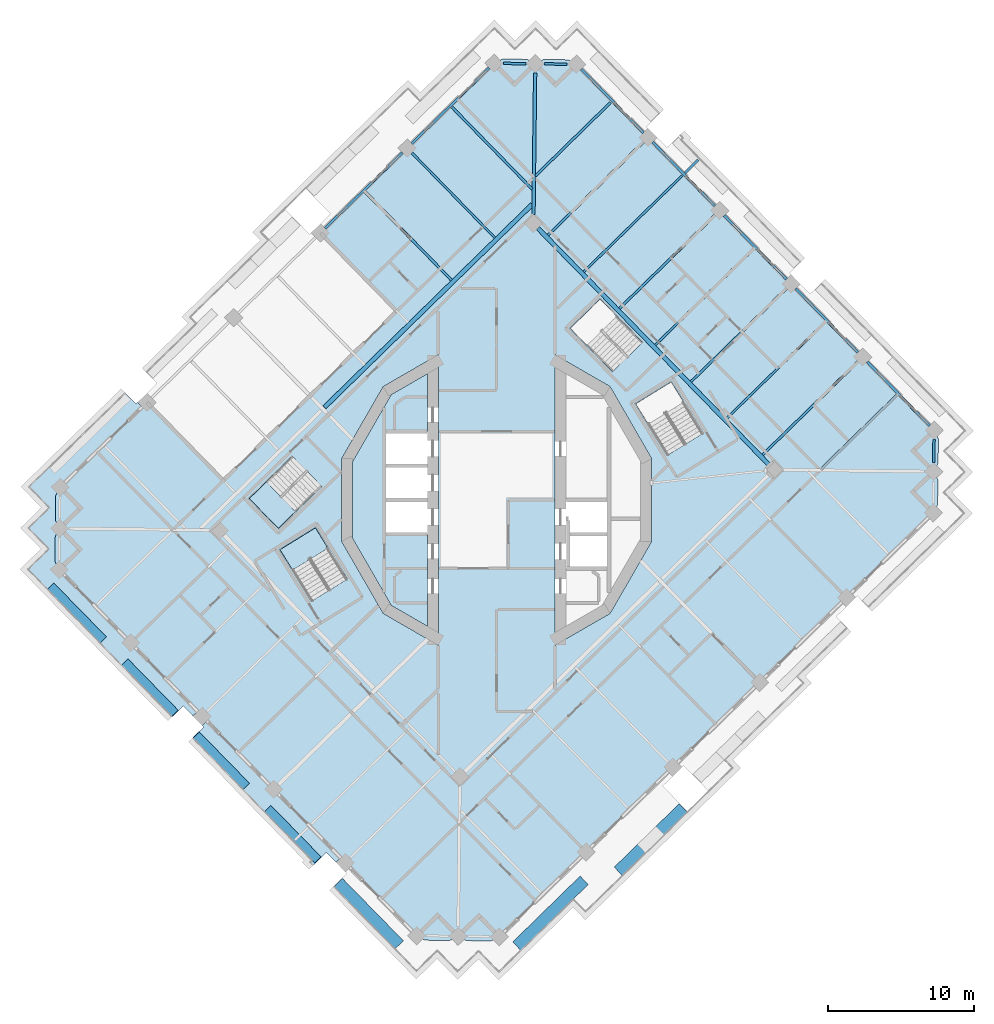
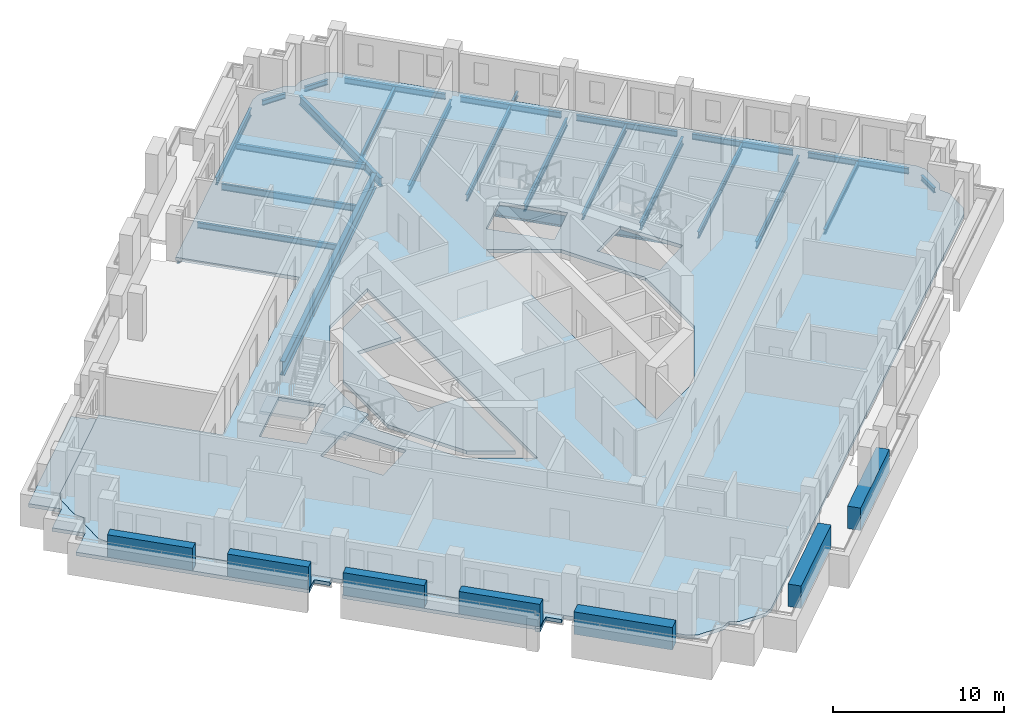
# One storey, part 2 of 17: 26 beams, 7 plates, 6 slabs, 2 elements without a shape of their own.
"""IFC4 building model written with IfcOpenShell, lengths in metres."""

from ifc_helpers import new_model, si_unit, direction, frame, origin, origin_2d, place, context, subcontext, project, spatial, polyline, rectangle, i_section, outline, extrude, material, layer, layer_set, material_profile, profile_set, type_object, element, aggregate, save


model = new_model("IFC4")

# Units and contexts
model_context = context("Model", 3, precision=1e-05, world=origin(), true_north=direction((0.0, 1.0)))
body_context = subcontext(model_context, "Body", "Model", "MODEL_VIEW")
ifc_project = project(units=[si_unit("LENGTHUNIT", "METRE"), si_unit("AREAUNIT", "SQUARE_METRE"), si_unit("VOLUMEUNIT", "CUBIC_METRE"), si_unit("PLANEANGLEUNIT", "RADIAN"), si_unit("MASSUNIT", "GRAM", prefix="KILO")], contexts=[model_context])

# Site, building, storey
site_placement = place(None, origin())
site = spatial("IfcSite", under=ifc_project, at=site_placement, CompositionType="ELEMENT")
building_placement = place(site_placement, origin())
building = spatial("IfcBuilding", under=site, at=building_placement, Name="Cantera Rosa Tower", CompositionType="ELEMENT")
storey_placement = place(building_placement, frame((0.0, 0.0, 227.0)))
storey = spatial("IfcBuildingStorey", under=building, at=storey_placement, Name="L49", CompositionType="ELEMENT", Elevation=227.0)

# Beams
ifc_material_1 = material(Name="Steel ASTM A992 (Fy 345 MPa)", Category="steel")
ifc_material_profile_1 = material_profile(ifc_material_1, i_section(OverallWidth=0.302001953125, OverallDepth=1.010009765625, WebThickness=0.02099609375, FlangeThickness=0.0400390625, FilletRadius=0.030029296875, at=origin_2d()), Name="W1000X350")
ifc_profile_set_1 = profile_set([ifc_material_profile_1], Name="Steel ASTM A992 (Fy 345 MPa)")
beam_type_1 = type_object("IfcBeamType", Name="STEEL BEAM W1000X350", PredefinedType="BEAM", material=ifc_profile_set_1)
beam_1_placement = place(storey_placement, frame((-11.813232421875, 6.353271484375, -0.7548828125), z_axis=(0.715280810147, 0.698837150297, 0.0), x_axis=(-0.698837150297, 0.715280810147, 0.0)))
element("IfcBeam", 1, at=beam_1_placement, inside=storey, type_object=beam_type_1, Name="RB-Z4-02 L49", PredefinedType="BEAM", context=body_context, shape_type="SweptSolid", body=[
    extrude(i_section(OverallWidth=0.302001953125, OverallDepth=1.010009765625, WebThickness=0.02099609375, FlangeThickness=0.0400390625, FilletRadius=0.030029296875, at=origin_2d()), origin(), (0.0, 0.0, 1.0), 19.909912109375),
])
beam_2_placement = place(storey_placement, frame((18.69677734375, 2.39892578125, -0.7548828125), z_axis=(-0.698831294804, 0.715286530981, 0.0), x_axis=(-0.715286530981, -0.698831294804, 0.0)))
element("IfcBeam", 2, at=beam_2_placement, inside=storey, type_object=beam_type_1, Name="RB-Z4-05 L49", PredefinedType="BEAM", context=body_context, shape_type="SweptSolid", body=[
    extrude(i_section(OverallWidth=0.302001953125, OverallDepth=1.010009765625, WebThickness=0.02099609375, FlangeThickness=0.0400390625, FilletRadius=0.030029296875, at=origin_2d()), origin(), (0.0, 0.0, 1.0), 22.7001953125),
])
ifc_material_2 = material(Name="Steel ASTM A992 (Fy 345 MPa)", Category="steel")
ifc_material_profile_2 = material_profile(ifc_material_2, i_section(OverallWidth=0.154052734375, OverallDepth=0.4599609375, WebThickness=0.009033203125, FlangeThickness=0.015380859375, FilletRadius=0.01025390625, at=origin_2d()), Name="W460X68")
ifc_profile_set_2 = profile_set([ifc_material_profile_2], Name="Steel ASTM A992 (Fy 345 MPa)")
beam_type_2 = type_object("IfcBeamType", Name="STEEL BEAM W460X68", PredefinedType="BEAM", material=ifc_profile_set_2)
beam_3_placement = place(storey_placement, frame((-5.818603515625, 23.81396484375, -0.47998046875), z_axis=(0.698836133494, -0.715281803574, 0.0), x_axis=(0.715281803574, 0.698836133494, 0.0)))
element("IfcBeam", 3, at=beam_3_placement, inside=storey, type_object=beam_type_2, Name="G-Z4-05 L49", PredefinedType="BEAM", context=body_context, shape_type="SweptSolid", body=[
    extrude(i_section(OverallWidth=0.154052734375, OverallDepth=0.4599609375, WebThickness=0.009033203125, FlangeThickness=0.015380859375, FilletRadius=0.01025390625, at=origin_2d()), origin(), (0.0, 0.0, 1.0), 8.150146484375),
])
ifc_material_3 = material(Name="Steel ASTM A992 (Fy 345 MPa)", Category="steel")
ifc_material_profile_3 = material_profile(ifc_material_3, i_section(OverallWidth=0.166015625, OverallDepth=0.528076171875, WebThickness=0.009765625, FlangeThickness=0.013671875, FilletRadius=0.0126953125, at=origin_2d()), Name="W530X74")
ifc_profile_set_3 = profile_set([ifc_material_profile_3], Name="Steel ASTM A992 (Fy 345 MPa)")
beam_type_3 = type_object("IfcBeamType", Name="STEEL BEAM W530X74", PredefinedType="BEAM", material=ifc_profile_set_3)
for number, where, z_axis, x_axis, name in (
    (4, (24.77587890625, 9.484619140625, -0.513916015625), (-0.71529025682, -0.698827481213, 0.0), (0.698827481213, -0.71529025682, 0.0), "G-Z4-01 L49"),
    (5, (19.8701171875, 14.505859375, -0.513916015625), (-0.71529025682, -0.698827481213, 0.0), (0.698827481213, -0.71529025682, 0.0), "G-Z4-02 L49"),
    (6, (14.96435546875, 19.527099609375, -0.513916015625), (-0.71529025682, -0.698827481213, 0.0), (0.698827481213, -0.71529025682, 0.0), "G-Z4-03 L49"),
    (7, (10.05859375, 24.548583984375, -0.513916015625), (-0.71529025682, -0.698827481213, 0.0), (0.698827481213, -0.71529025682, 0.0), "G-Z4-04 L49"),
):
    element("IfcBeam", number, at=place(storey_placement, frame(where, z_axis=z_axis, x_axis=x_axis)), inside=storey, type_object=beam_type_3, Name=name, PredefinedType="BEAM", context=body_context, shape_type="SweptSolid", body=[
        extrude(i_section(OverallWidth=0.166015625, OverallDepth=0.528076171875, WebThickness=0.009765625, FlangeThickness=0.013671875, FilletRadius=0.0126953125, at=origin_2d()), origin(), (0.0, 0.0, 1.0), 9.14990234375),
    ])
ifc_material_4 = material(Name="Steel ASTM A992 (Fy 345 MPa)", Category="steel")
ifc_material_profile_4 = material_profile(ifc_material_4, i_section(OverallWidth=0.22802734375, OverallDepth=0.60205078125, WebThickness=0.010498046875, FlangeThickness=0.014892578125, FilletRadius=0.0126953125, at=origin_2d()), Name="W610X101")
ifc_profile_set_4 = profile_set([ifc_material_profile_4], Name="Steel ASTM A992 (Fy 345 MPa)")
beam_type_4 = type_object("IfcBeamType", Name="STEEL BEAM W610X101", PredefinedType="BEAM", material=ifc_profile_set_4)
beam_4_placement = place(storey_placement, frame((2.638916015625, 29.28076171875, -0.551025390625), z_axis=(-0.011618330597, -0.999932504919, 0.0), x_axis=(0.999932504919, -0.011618330597, 0.0)))
element("IfcBeam", 8, at=beam_4_placement, inside=storey, type_object=beam_type_4, Name="CB-Z4-01 L49", PredefinedType="BEAM", context=body_context, shape_type="SweptSolid", body=[
    extrude(i_section(OverallWidth=0.22802734375, OverallDepth=0.60205078125, WebThickness=0.010498046875, FlangeThickness=0.014892578125, FilletRadius=0.0126953125, at=origin_2d()), origin(), (0.0, 0.0, 1.0), 9.687255859375),
])
ifc_material_5 = material(Name="Steel ASTM A992 (Fy 345 MPa)", Category="steel")
ifc_material_profile_5 = material_profile(ifc_material_5, i_section(OverallWidth=0.1708984375, OverallDepth=0.35595703125, WebThickness=0.00732421875, FlangeThickness=0.01171875, FilletRadius=0.010009765625, at=origin_2d()), Name="W360X51")
ifc_profile_set_5 = profile_set([ifc_material_profile_5], Name="Steel ASTM A992 (Fy 345 MPa)")
beam_type_5 = type_object("IfcBeamType", Name="STEEL JOIST W360X51", PredefinedType="JOIST", material=ifc_profile_set_5)
for number, where, z_axis, x_axis, name in (
    (9, (27.443359375, 7.18359375, -0.427978515625), (-0.715287213552, -0.69883059616, 0.0), (0.69883059616, -0.715287213552, 0.0), "B-Z4-01 L49"),
    (10, (7.8203125, 27.268798828125, -0.427978515625), (-0.715287213552, -0.69883059616, 0.0), (0.69883059616, -0.715287213552, 0.0), "B-Z4-05 L49"),
):
    element("IfcBeam", number, at=place(storey_placement, frame(where, z_axis=z_axis, x_axis=x_axis)), inside=storey, type_object=beam_type_5, Name=name, PredefinedType="JOIST", context=body_context, shape_type="SweptSolid", body=[
        extrude(i_section(OverallWidth=0.1708984375, OverallDepth=0.35595703125, WebThickness=0.00732421875, FlangeThickness=0.01171875, FilletRadius=0.010009765625, at=origin_2d()), origin(), (0.0, 0.0, 1.0), 7.2099609375),
    ])
beam_5_placement = place(storey_placement, frame((12.92626953125, 22.443115234375, -0.427978515625), z_axis=(0.715266175044, 0.698852129451, 0.0), x_axis=(-0.698852129451, 0.715266175044, 0.0)))
element("IfcBeam", 11, at=beam_5_placement, inside=storey, type_object=beam_type_5, Name="BS-Z4-13 L49", PredefinedType="JOIST", context=body_context, shape_type="SweptSolid", body=[
    extrude(i_section(OverallWidth=0.1708984375, OverallDepth=0.35595703125, WebThickness=0.00732421875, FlangeThickness=0.01171875, FilletRadius=0.010009765625, at=origin_2d()), origin(), (0.0, 0.0, 1.0), 1.26416015625),
])
ifc_material_6 = material(Name="Steel ASTM A992 (Fy 345 MPa)", Category="steel")
ifc_material_profile_6 = material_profile(ifc_material_6, i_section(OverallWidth=0.177978515625, OverallDepth=0.406005859375, WebThickness=0.0078125, FlangeThickness=0.0126953125, FilletRadius=0.01025390625, at=origin_2d()), Name="W410X60")
ifc_profile_set_6 = profile_set([ifc_material_profile_6], Name="Steel ASTM A992 (Fy 345 MPa)")
beam_type_6 = type_object("IfcBeamType", Name="STEEL JOIST W410X60", PredefinedType="JOIST", material=ifc_profile_set_6)
beam_6_placement = place(storey_placement, frame((-3.052734375, 26.935791015625, -0.452880859375), z_axis=(0.698827868311, -0.715289878631, 0.0), x_axis=(0.715289878631, 0.698827868311, 0.0)))
element("IfcBeam", 12, at=beam_6_placement, inside=storey, type_object=beam_type_6, Name="B-Z4-06 L49", PredefinedType="JOIST", context=body_context, shape_type="SweptSolid", body=[
    extrude(i_section(OverallWidth=0.177978515625, OverallDepth=0.406005859375, WebThickness=0.0078125, FlangeThickness=0.0126953125, FilletRadius=0.01025390625, at=origin_2d()), origin(), (0.0, 0.0, 1.0), 7.860107421875),
])
beam_7_placement = place(storey_placement, frame((-9.00390625, 21.121337890625, -0.452880859375), z_axis=(0.698839235604, -0.715278772774, 0.0), x_axis=(0.715278772774, 0.698839235604, 0.0)))
element("IfcBeam", 13, at=beam_7_placement, inside=storey, type_object=beam_type_6, Name="B-Z4-07 L49", PredefinedType="JOIST", context=body_context, shape_type="SweptSolid", body=[
    extrude(i_section(OverallWidth=0.177978515625, OverallDepth=0.406005859375, WebThickness=0.0078125, FlangeThickness=0.0126953125, FilletRadius=0.01025390625, at=origin_2d()), origin(), (0.0, 0.0, 1.0), 8.4501953125),
])
ifc_material_7 = material(Name="Steel ASTM A992 (Fy 345 MPa)", Category="steel")
ifc_material_profile_7 = material_profile(ifc_material_7, i_section(OverallWidth=0.154052734375, OverallDepth=0.4599609375, WebThickness=0.009033203125, FlangeThickness=0.015380859375, FilletRadius=0.01025390625, at=origin_2d()), Name="W460X68")
ifc_profile_set_7 = profile_set([ifc_material_profile_7], Name="Steel ASTM A992 (Fy 345 MPa)")
beam_type_7 = type_object("IfcBeamType", Name="STEEL JOIST W460X68", PredefinedType="JOIST", material=ifc_profile_set_7)
for number, where, z_axis, x_axis, name in (
    (14, (22.53759765625, 12.204833984375, -0.47998046875), (-0.715287278354, -0.698830529832, 0.0), (0.698830529832, -0.715287278354, 0.0), "B-Z4-02 L49"),
    (15, (17.6318359375, 17.226318359375, -0.47998046875), (-0.715287278354, -0.698830529832, 0.0), (0.698830529832, -0.715287278354, 0.0), "B-Z4-03 L49"),
    (16, (12.72607421875, 22.24755859375, -0.47998046875), (-0.715287278354, -0.698830529832, 0.0), (0.698830529832, -0.715287278354, 0.0), "B-Z4-04 L49"),
):
    element("IfcBeam", number, at=place(storey_placement, frame(where, z_axis=z_axis, x_axis=x_axis)), inside=storey, type_object=beam_type_7, Name=name, PredefinedType="JOIST", context=body_context, shape_type="SweptSolid", body=[
        extrude(i_section(OverallWidth=0.154052734375, OverallDepth=0.4599609375, WebThickness=0.009033203125, FlangeThickness=0.015380859375, FilletRadius=0.01025390625, at=origin_2d()), origin(), (0.0, 0.0, 1.0), 9.4501953125),
    ])
ifc_material_8 = material(Name="Steel ASTM A992 (Fy 345 MPa)", Category="steel")
ifc_material_profile_8 = material_profile(ifc_material_8, i_section(OverallWidth=0.1708984375, OverallDepth=0.35595703125, WebThickness=0.00732421875, FlangeThickness=0.01171875, FilletRadius=0.010009765625, at=origin_2d()), Name="W360X51")
ifc_profile_set_8 = profile_set([ifc_material_profile_8], Name="Steel ASTM A992 (Fy 345 MPa)")
beam_type_8 = type_object("IfcBeamType", Name="STEEL SPANDREL BEAM W360X51", PredefinedType="SPANDREL", material=ifc_profile_set_8)
for number, where, z_axis, x_axis, name in (
    (17, (4.838134765625, 29.8916015625, -0.427978515625), (-0.999930716123, 0.011771276677, 0.0), (-0.011771276677, -0.999930716123, 0.0), "EB-Z4-06 L49"),
    (18, (2.010009765625, 29.924560546875, -0.427978515625), (-0.99993255119, 0.011614347636, 0.0), (-0.011614347636, -0.99993255119, 0.0), "EB-Z4-07 L49"),
    (19, (29.97802734375, 2.5859375, -0.427978515625), (0.011614347636, 0.99993255119, 0.0), (-0.99993255119, 0.011614347636, 0.0), "EB-Z4-28 L49"),
):
    element("IfcBeam", number, at=place(storey_placement, frame(where, z_axis=z_axis, x_axis=x_axis)), inside=storey, type_object=beam_type_8, Name=name, PredefinedType="SPANDREL", context=body_context, shape_type="SweptSolid", body=[
        extrude(i_section(OverallWidth=0.1708984375, OverallDepth=0.35595703125, WebThickness=0.00732421875, FlangeThickness=0.01171875, FilletRadius=0.010009765625, at=origin_2d()), origin(), (0.0, 0.0, 1.0), 1.555419921875),
    ])
ifc_material_9 = material(Name="Steel ASTM A992 (Fy 345 MPa)", Category="steel")
ifc_material_profile_9 = material_profile(ifc_material_9, i_section(OverallWidth=0.177978515625, OverallDepth=0.406005859375, WebThickness=0.0078125, FlangeThickness=0.0126953125, FilletRadius=0.01025390625, at=origin_2d()), Name="W410X60")
ifc_profile_set_9 = profile_set([ifc_material_profile_9], Name="Steel ASTM A992 (Fy 345 MPa)")
beam_type_9 = type_object("IfcBeamType", Name="STEEL SPANDREL BEAM W410X60", PredefinedType="SPANDREL", material=ifc_profile_set_9)
beam_8_placement = place(storey_placement, frame((29.689208984375, 5.099609375, -0.452880859375), z_axis=(-0.69882117953, 0.715296413412, 0.0), x_axis=(-0.715296413412, -0.69882117953, 0.0)))
element("IfcBeam", 20, at=beam_8_placement, inside=storey, type_object=beam_type_9, Name="EB-Z4-01 L49", PredefinedType="SPANDREL", context=body_context, shape_type="SweptSolid", body=[
    extrude(i_section(OverallWidth=0.177978515625, OverallDepth=0.406005859375, WebThickness=0.0078125, FlangeThickness=0.0126953125, FilletRadius=0.01025390625, at=origin_2d()), origin(), (0.0, 0.0, 1.0), 6.1201171875),
])
for number, where, z_axis, x_axis, name in (
    (21, (24.783203125, 10.120849609375, -0.452880859375), (-0.698800768177, 0.715316354067, 0.0), (-0.715316354067, -0.698800768177, 0.0), "EB-Z4-02 L49"),
    (22, (19.87744140625, 15.142333984375, -0.452880859375), (-0.698841120217, 0.71527693147, 0.0), (-0.71527693147, -0.698841120217, 0.0), "EB-Z4-03 L49"),
    (23, (14.9716796875, 20.16357421875, -0.452880859375), (-0.698841120217, 0.71527693147, 0.0), (-0.71527693147, -0.698841120217, 0.0), "EB-Z4-04 L49"),
):
    element("IfcBeam", number, at=place(storey_placement, frame(where, z_axis=z_axis, x_axis=x_axis)), inside=storey, type_object=beam_type_9, Name=name, PredefinedType="SPANDREL", context=body_context, shape_type="SweptSolid", body=[
        extrude(i_section(OverallWidth=0.177978515625, OverallDepth=0.406005859375, WebThickness=0.0078125, FlangeThickness=0.0126953125, FilletRadius=0.01025390625, at=origin_2d()), origin(), (0.0, 0.0, 1.0), 6.119873046875),
    ])
beam_9_placement = place(storey_placement, frame((10.06591796875, 25.184814453125, -0.452880859375), z_axis=(-0.69882117953, 0.715296413412, 0.0), x_axis=(-0.715296413412, -0.69882117953, 0.0)))
element("IfcBeam", 24, at=beam_9_placement, inside=storey, type_object=beam_type_9, Name="EB-Z4-05 L49", PredefinedType="SPANDREL", context=body_context, shape_type="SweptSolid", body=[
    extrude(i_section(OverallWidth=0.177978515625, OverallDepth=0.406005859375, WebThickness=0.0078125, FlangeThickness=0.0126953125, FilletRadius=0.01025390625, at=origin_2d()), origin(), (0.0, 0.0, 1.0), 6.1201171875),
])
ifc_material_10 = material(Name="Steel ASTM A992 (Fy 345 MPa)", Category="steel")
ifc_material_profile_10 = material_profile(ifc_material_10, i_section(OverallWidth=0.166015625, OverallDepth=0.528076171875, WebThickness=0.009765625, FlangeThickness=0.013671875, FilletRadius=0.0126953125, at=origin_2d()), Name="W530X74")
ifc_profile_set_10 = profile_set([ifc_material_profile_10], Name="Steel ASTM A992 (Fy 345 MPa)")
beam_type_10 = type_object("IfcBeamType", Name="STEEL SPANDREL BEAM W530X74", PredefinedType="SPANDREL", material=ifc_profile_set_10)
beam_10_placement = place(storey_placement, frame((-0.503662109375, 29.6357421875, -0.513916015625), z_axis=(-0.715284379566, -0.698833496871, 0.0), x_axis=(0.698833496871, -0.715284379566, 0.0)))
element("IfcBeam", 25, at=beam_10_placement, inside=storey, type_object=beam_type_10, Name="EB-Z4-08 L49", PredefinedType="SPANDREL", context=body_context, shape_type="SweptSolid", body=[
    extrude(i_section(OverallWidth=0.166015625, OverallDepth=0.528076171875, WebThickness=0.009765625, FlangeThickness=0.013671875, FilletRadius=0.0126953125, at=origin_2d()), origin(), (0.0, 0.0, 1.0), 7.42041015625),
])
beam_11_placement = place(storey_placement, frame((-6.454833984375, 23.8212890625, -0.513916015625), z_axis=(-0.715300826176, -0.698816662703, 0.0), x_axis=(0.698816662703, -0.715300826176, 0.0)))
element("IfcBeam", 26, at=beam_11_placement, inside=storey, type_object=beam_type_10, Name="EB-Z4-09 L49", PredefinedType="SPANDREL", context=body_context, shape_type="SweptSolid", body=[
    extrude(i_section(OverallWidth=0.166015625, OverallDepth=0.528076171875, WebThickness=0.009765625, FlangeThickness=0.013671875, FilletRadius=0.0126953125, at=origin_2d()), origin(), (0.0, 0.0, 1.0), 7.420166015625),
])

# Slabs
ifc_material_11 = material(Name="Concrete C35/45", Category="concrete")
ifc_layer_1 = layer(ifc_material_11, 0.25)
ifc_layer_set_1 = layer_set([ifc_layer_1], Name="COMPOSITE FLOOR SLAB 250 C35/45")
slab_type_1 = type_object("IfcSlabType", Name="COMPOSITE FLOOR SLAB 250 C35/45", PredefinedType="FLOOR", material=ifc_layer_set_1)
slab_1_placement = place(storey_placement, frame((0.0, 0.0, -0.25)))
element("IfcSlab", 27, at=slab_1_placement, inside=storey, type_object=slab_type_1, Name="SLAB L49 floor 1", PredefinedType="FLOOR", context=body_context, shape_type="SweptSolid", body=[
    extrude(outline(polyline([(-4.75, -2.35009765625), (-4.75, -8.660400390625), (-7.22900390625, -7.22900390625), (-9.875244140625, -2.64599609375), (-9.875244140625, 2.64599609375), (-7.22900390625, 7.22900390625), (-4.75, 8.660400390625), (-4.75, 4.699951171875), (-7.699951171875, 4.699951171875), (-7.699951171875, 2.35009765625), (-7.699951171875, 0.0), (-7.699951171875, -2.35009765625), (-4.75, -2.35009765625)])), origin(), (0.0, 0.0, 1.0), 0.25),
])
slab_2_placement = place(storey_placement, frame((0.0, 0.0, -0.25)))
element("IfcSlab", 28, at=slab_2_placement, inside=storey, type_object=slab_type_1, Name="SLAB L49 floor 2", PredefinedType="FLOOR", context=body_context, shape_type="SweptSolid", body=[
    extrude(outline(polyline([(-2.154541015625, -30.1875), (-2.646484375, -29.917236328125), (-3.144287109375, -30.176025390625), (-3.171142578125, -30.188232421875), (-3.198974609375, -30.197998046875), (-3.2275390625, -30.20458984375), (-3.2568359375, -30.208740234375), (-3.2861328125, -30.209716796875), (-4.841796875, -30.191650390625), (-4.87109375, -30.18994140625), (-4.900146484375, -30.185302734375), (-4.9287109375, -30.177734375), (-4.956298828125, -30.16748046875), (-4.982666015625, -30.154541015625), (-5.474609375, -29.88427734375), (-30.003662109375, -4.777587890625), (-30.262451171875, -4.27978515625), (-30.274658203125, -4.2529296875), (-30.2841796875, -4.22509765625), (-30.291015625, -4.196533203125), (-30.295166015625, -4.167236328125), (-30.296142578125, -4.137939453125), (-30.278076171875, -2.58251953125), (-30.2763671875, -2.552978515625), (-30.271484375, -2.52392578125), (-30.26416015625, -2.495361328125), (-30.25390625, -2.4677734375), (-30.240966796875, -2.44140625), (-29.970703125, -1.949462890625), (-30.2294921875, -1.451416015625), (-30.24169921875, -1.4248046875), (-30.25146484375, -1.39697265625), (-30.25830078125, -1.368408203125), (-30.26220703125, -1.339111328125), (-30.26318359375, -1.309814453125), (-30.2451171875, 0.245849609375), (-30.243408203125, 0.275146484375), (-30.23876953125, 0.30419921875), (-30.231201171875, 0.332763671875), (-30.220947265625, 0.3603515625), (-30.2080078125, 0.386962890625), (-29.937744140625, 0.878662109375), (-23.986572265625, 6.693115234375), (-18.745361328125, 1.328369140625), (-6.843017578125, 12.956787109375), (-12.084228515625, 18.321533203125), (-0.883056640625, 29.26513671875), (-0.181884765625, 29.9501953125), (0.316162109375, 30.208984375), (0.343017578125, 30.22119140625), (0.37060546875, 30.230712890625), (0.3994140625, 30.237548828125), (0.4287109375, 30.24169921875), (0.4580078125, 30.24267578125), (2.013427734375, 30.224609375), (2.04296875, 30.222900390625), (2.072021484375, 30.218017578125), (2.100341796875, 30.210693359375), (2.1279296875, 30.200439453125), (2.154541015625, 30.1875), (2.646484375, 29.917236328125), (3.144287109375, 30.176025390625), (3.171142578125, 30.188232421875), (3.198974609375, 30.197998046875), (3.2275390625, 30.20458984375), (3.2568359375, 30.208740234375), (3.2861328125, 30.209716796875), (4.841796875, 30.191650390625), (4.87109375, 30.18994140625), (4.900146484375, 30.185302734375), (4.9287109375, 30.177734375), (4.956298828125, 30.16748046875), (4.982666015625, 30.154541015625), (5.474609375, 29.88427734375), (30.003662109375, 4.777587890625), (30.262451171875, 4.27978515625), (30.274658203125, 4.2529296875), (30.2841796875, 4.22509765625), (30.291015625, 4.196533203125), (30.295166015625, 4.167236328125), (30.296142578125, 4.137939453125), (30.278076171875, 2.58251953125), (30.2763671875, 2.552978515625), (30.271484375, 2.52392578125), (30.26416015625, 2.495361328125), (30.25390625, 2.4677734375), (30.240966796875, 2.44140625), (29.970703125, 1.949462890625), (30.2294921875, 1.451416015625), (30.24169921875, 1.4248046875), (30.25146484375, 1.39697265625), (30.25830078125, 1.368408203125), (30.26220703125, 1.339111328125), (30.26318359375, 1.309814453125), (30.2451171875, -0.245849609375), (30.243408203125, -0.275146484375), (30.23876953125, -0.30419921875), (30.231201171875, -0.332763671875), (30.220947265625, -0.3603515625), (30.2080078125, -0.386962890625), (29.937744140625, -0.878662109375), (0.883056640625, -29.26513671875), (0.181884765625, -29.9501953125), (-0.316162109375, -30.208984375), (-0.343017578125, -30.22119140625), (-0.37060546875, -30.230712890625), (-0.3994140625, -30.237548828125), (-0.4287109375, -30.24169921875), (-0.4580078125, -30.24267578125), (-2.013427734375, -30.224609375), (-2.04296875, -30.222900390625), (-2.072021484375, -30.218017578125), (-2.100341796875, -30.210693359375), (-2.1279296875, -30.200439453125), (-2.154541015625, -30.1875)]), holes=[polyline([(-14.8564453125, -3.407470703125), (-12.68408203125, -6.929443359375), (-10.258544921875, -5.433349609375), (-12.430908203125, -1.911376953125), (-14.8564453125, -3.407470703125)]), polyline([(-10.625244140625, -2.846923828125), (-7.7783203125, -7.7783203125), (-4.0, -9.95947265625), (-4.0, 9.95947265625), (-7.7783203125, 7.7783203125), (-10.625244140625, 2.846923828125), (-10.625244140625, -2.846923828125)]), polyline([(-16.962890625, 0.097412109375), (-14.97119140625, -1.941162109375), (-12.01123046875, 0.95068359375), (-14.0029296875, 2.9892578125), (-16.962890625, 0.097412109375)]), polyline([(10.625244140625, 2.846923828125), (7.7783203125, 7.7783203125), (4.0, 9.95947265625), (4.0, -9.95947265625), (7.7783203125, -7.7783203125), (10.625244140625, -2.846923828125), (10.625244140625, 2.846923828125)]), polyline([(11.96923828125, 8.088623046875), (9.54345703125, 6.592529296875), (11.7158203125, 3.070556640625), (14.1416015625, 4.566650390625), (11.96923828125, 8.088623046875)]), polyline([(7.097412109375, 13.762939453125), (5.058837890625, 11.771240234375), (7.95068359375, 8.811279296875), (9.9892578125, 10.802978515625), (7.097412109375, 13.762939453125)])]), origin(), (0.0, 0.0, 1.0), 0.25),
])
ifc_material_12 = material(Name="Concrete C35/45", Category="concrete")
ifc_layer_2 = layer(ifc_material_12, 0.25)
ifc_layer_set_2 = layer_set([ifc_layer_2], Name="LOGGIA SLAB 250 C35/45")
slab_type_2 = type_object("IfcSlabType", Name="LOGGIA SLAB 250 C35/45", PredefinedType="FLOOR", material=ifc_layer_set_2)
slab_3_placement = place(storey_placement, frame((0.0, 0.0, -0.25)))
element("IfcSlab", 29, at=slab_3_placement, inside=storey, type_object=slab_type_2, Name="LOGGIA SLAB L49 1", PredefinedType="FLOOR", context=body_context, shape_type="SweptSolid", body=[
    extrude(outline(polyline([(-31.0517578125, -3.704833984375), (-30.694091796875, -3.35546875), (-31.043701171875, -2.997802734375), (-32.091796875, -1.9248046875), (-31.018798828125, -0.876708984375), (-30.661376953125, -0.527099609375), (-31.0107421875, -0.16943359375), (-32.05908203125, 0.9033203125), (-30.986083984375, 1.95166015625), (-26.110107421875, 6.71533203125), (-26.11279296875, 6.7177734375), (-25.46630859375, 7.34912109375), (-24.730224609375, 6.595703125), (-24.622802734375, 6.700439453125), (-24.30859375, 6.37841796875), (-29.937744140625, 0.878662109375), (-30.2080078125, 0.386962890625), (-30.220947265625, 0.3603515625), (-30.231201171875, 0.332763671875), (-30.23876953125, 0.30419921875), (-30.243408203125, 0.275146484375), (-30.2451171875, 0.245849609375), (-30.26318359375, -1.309814453125), (-30.26220703125, -1.339111328125), (-30.25830078125, -1.368408203125), (-30.25146484375, -1.39697265625), (-30.24169921875, -1.4248046875), (-30.2294921875, -1.451416015625), (-29.970703125, -1.949462890625), (-30.240966796875, -2.44140625), (-30.25390625, -2.4677734375), (-30.26416015625, -2.495361328125), (-30.271484375, -2.52392578125), (-30.2763671875, -2.552978515625), (-30.278076171875, -2.58251953125), (-30.296142578125, -4.137939453125), (-30.295166015625, -4.167236328125), (-30.291015625, -4.196533203125), (-30.2841796875, -4.22509765625), (-30.274658203125, -4.2529296875), (-30.262451171875, -4.27978515625), (-30.003662109375, -4.777587890625), (-20.506591796875, -14.49853515625), (-20.828369140625, -14.81298828125), (-21.4921875, -14.13330078125), (-22.243408203125, -14.8671875), (-22.313232421875, -14.795654296875), (-25.12255859375, -11.920166015625), (-27.218994140625, -9.7744140625), (-31.076416015625, -5.825927734375), (-32.124755859375, -4.753173828125), (-31.0517578125, -3.704833984375)])), origin(), (0.0, 0.0, 1.0), 0.25),
])
slab_4_placement = place(storey_placement, frame((0.0, 0.0, -0.25)))
element("IfcSlab", 30, at=slab_4_placement, inside=storey, type_object=slab_type_2, Name="LOGGIA SLAB L49 2", PredefinedType="FLOOR", context=body_context, shape_type="SweptSolid", body=[
    extrude(outline(polyline([(-20.216796875, -16.94140625), (-20.845703125, -16.2978515625), (-20.094482421875, -15.56396484375), (-20.199462890625, -15.456787109375), (-19.87744140625, -15.14208984375), (-10.69482421875, -24.541015625), (-11.016845703125, -24.855712890625), (-11.6806640625, -24.176025390625), (-12.57470703125, -25.049560546875), (-12.784423828125, -24.8349609375), (-12.6513671875, -24.705078125), (-17.42724609375, -19.81689453125), (-17.417236328125, -19.806884765625), (-20.216796875, -16.94140625)])), origin(), (0.0, 0.0, 1.0), 0.25),
])

# Plates
ifc_material_13 = material(Name="Cantera stone planter with soil", Category="masonry")
plate_type_1 = type_object("IfcPlateType", Name="PLANTER 600", PredefinedType="USERDEFINED", material=ifc_material_13)
plate_1_placement = place(storey_placement, frame((-28.77587890625, -7.75146484375, 0.0), z_axis=(0.0, 0.0, 1.0), x_axis=(0.698831540364, -0.71528629107, 0.0)))
element("IfcPlate", 31, at=plate_1_placement, inside=storey, type_object=plate_type_1, Name="PLANTER L49-11", ObjectType="PLANTER", PredefinedType="USERDEFINED", context=body_context, shape_type="SweptSolid", body=[
    extrude(rectangle(XDim=5.169921875, YDim=0.60009765625, at=origin_2d()), origin(), (0.0, 0.0, 1.0), 1.60009765625),
])
for number, where, z_axis, x_axis, name in (
    (32, (-23.78271484375, -12.8623046875, 0.0), (0.0, 0.0, 1.0), (0.698831540364, -0.71528629107, 0.0), "PLANTER L49-12"),
    (33, (-18.876953125, -17.883544921875, 0.0), (0.0, 0.0, 1.0), (0.698831540364, -0.71528629107, 0.0), "PLANTER L49-13"),
    (34, (-13.981201171875, -22.91455078125, 0.0), (0.0, 0.0, 1.0), (0.698831540364, -0.71528629107, 0.0), "PLANTER L49-14"),
):
    element("IfcPlate", number, at=place(storey_placement, frame(where, z_axis=z_axis, x_axis=x_axis)), inside=storey, type_object=plate_type_1, Name=name, ObjectType="PLANTER", PredefinedType="USERDEFINED", context=body_context, shape_type="SweptSolid", body=[
        extrude(rectangle(XDim=4.919921875, YDim=0.60009765625, at=origin_2d()), origin(), (0.0, 0.0, 1.0), 1.60009765625),
    ])
ifc_material_14 = material(Name="Cantera stone planter with soil", Category="masonry")
plate_type_2 = type_object("IfcPlateType", Name="PLANTER 800", PredefinedType="USERDEFINED", material=ifc_material_14)
plate_2_placement = place(storey_placement, frame((-8.77001953125, -28.37158203125, 0.0), z_axis=(0.0, 0.0, 1.0), x_axis=(0.698831540364, -0.71528629107, 0.0)))
element("IfcPlate", 35, at=plate_2_placement, inside=storey, type_object=plate_type_2, Name="PLANTER L49-15", ObjectType="PLANTER", PredefinedType="USERDEFINED", context=body_context, shape_type="SweptSolid", body=[
    extrude(rectangle(XDim=5.969970703125, YDim=0.800048828125, at=origin_2d()), origin(), (0.0, 0.0, 1.0), 1.60009765625),
])
plate_3_placement = place(storey_placement, frame((3.6904296875, -28.33984375, 0.0), z_axis=(0.0, 0.0, 1.0), x_axis=(0.71528629107, 0.698831540364, 0.0)))
element("IfcPlate", 36, at=plate_3_placement, inside=storey, type_object=plate_type_2, Name="PLANTER L49-16", ObjectType="PLANTER", PredefinedType="USERDEFINED", context=body_context, shape_type="SweptSolid", body=[
    extrude(rectangle(XDim=6.469970703125, YDim=0.800048828125, at=origin_2d()), origin(), (0.0, 0.0, 1.0), 1.60009765625),
])
plate_4_placement = place(storey_placement, frame((10.56640625, -23.29296875, 0.0), z_axis=(0.0, 0.0, 1.0), x_axis=(0.71528629107, 0.698831540364, 0.0)))
element("IfcPlate", 37, at=plate_4_placement, inside=storey, type_object=plate_type_2, Name="PLANTER L49-17", ObjectType="PLANTER", PredefinedType="USERDEFINED", context=body_context, shape_type="SweptSolid", body=[
    extrude(rectangle(XDim=6.219970703125, YDim=0.800048828125, at=origin_2d()), origin(), (0.0, 0.0, 1.0), 1.60009765625),
])

# Stair, slab
ifc_material_15 = material(Name="Concrete C35/45", Category="concrete")
stair_type = type_object("IfcStairType", Name="EXIT STAIR 1350 DOGLEG", PredefinedType="HALF_TURN_STAIR", material=ifc_material_15)
stair_1_placement = place(storey_placement, origin())
stair_1 = element("IfcStair", 38, at=stair_1_placement, inside=storey, type_object=stair_type, Name="L49 ST-43", PredefinedType="HALF_TURN_STAIR")
ifc_material_16 = material(Name="Concrete C35/45", Category="concrete")
ifc_layer_3 = layer(ifc_material_16, 0.199951171875)
ifc_layer_set_3 = layer_set([ifc_layer_3], Name="STAIR LANDING 200")
slab_type_3 = type_object("IfcSlabType", Name="STAIR LANDING 200", PredefinedType="LANDING", material=ifc_layer_set_3)
slab_5_placement = place(storey_placement, frame((0.0, 0.0, 1.60009765625)))
slab_5 = element("IfcSlab", 39, at=slab_5_placement, type_object=slab_type_3, Name="ST-43 landing 1", PredefinedType="LANDING", context=body_context, shape_type="SweptSolid", body=[
    extrude(outline(polyline([(-15.788330078125, 1.244873046875), (-16.962890625, 0.097412109375), (-14.97119140625, -1.941162109375), (-13.796630859375, -0.793701171875), (-15.788330078125, 1.244873046875)])), origin(), (0.0, 0.0, 1.0), 0.199951171875),
])
aggregate(stair_1, [slab_5])

stair_2_placement = place(storey_placement, origin())
stair_2 = element("IfcStair", 40, at=stair_2_placement, inside=storey, type_object=stair_type, Name="L49 ST-44", PredefinedType="HALF_TURN_STAIR")
slab_6_placement = place(storey_placement, frame((0.0, 0.0, 1.60009765625)))
slab_6 = element("IfcSlab", 41, at=slab_6_placement, type_object=slab_type_3, Name="ST-44 landing 1", PredefinedType="LANDING", context=body_context, shape_type="SweptSolid", body=[
    extrude(outline(polyline([(-11.56884765625, -3.308837890625), (-12.430908203125, -1.911376953125), (-14.8564453125, -3.407470703125), (-13.99462890625, -4.80517578125), (-11.56884765625, -3.308837890625)])), origin(), (0.0, 0.0, 1.0), 0.199951171875),
])
aggregate(stair_2, [slab_6])

save(model, "model.ifc")
